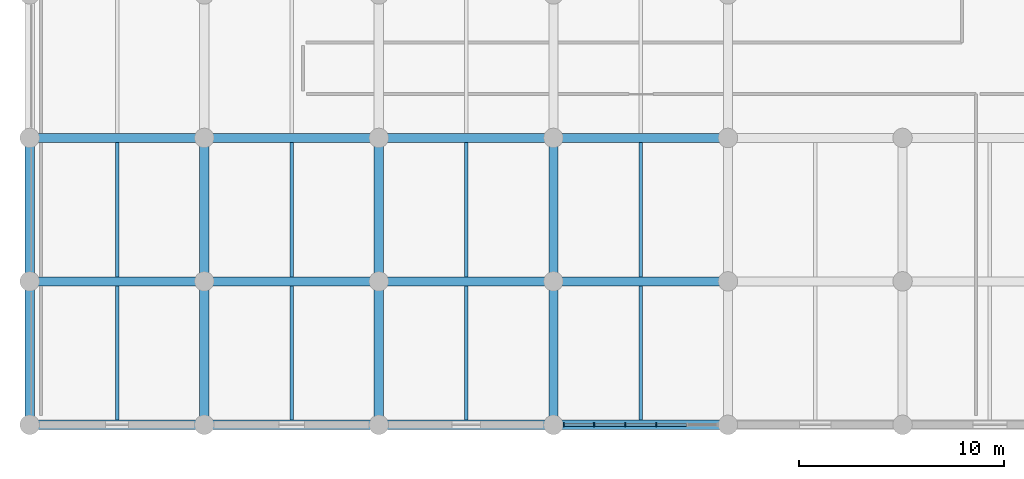
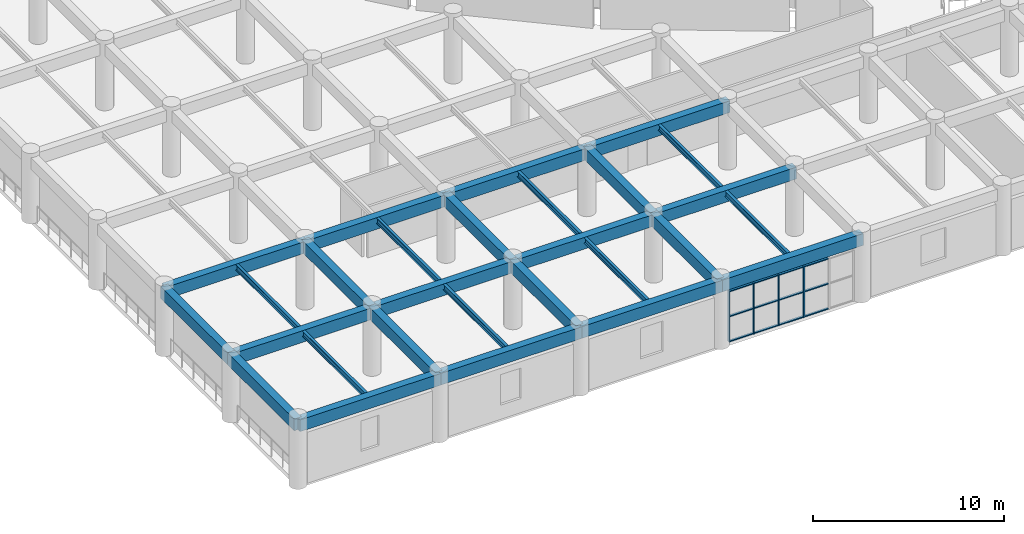
# One storey, part 11 of 145: 28 beams, 16 members, 1 element without a shape of its own.
"""IFC4 building model written with IfcOpenShell, lengths in metres."""

from ifc_helpers import new_model, si_unit, direction, frame, origin, origin_2d, place, context, subcontext, project, spatial, rectangle, i_section, extrude, material, layer, layer_set, material_profile, profile_set, type_object, element, aggregate, save


model = new_model("IFC4")

# Units and contexts
model_context = context("Model", 3, precision=1e-05, world=origin(), true_north=direction((0.0, 1.0)))
body_context = subcontext(model_context, "Body", "Model", "MODEL_VIEW")
ifc_project = project(units=[si_unit("LENGTHUNIT", "METRE"), si_unit("AREAUNIT", "SQUARE_METRE"), si_unit("VOLUMEUNIT", "CUBIC_METRE"), si_unit("PLANEANGLEUNIT", "RADIAN"), si_unit("MASSUNIT", "GRAM", prefix="KILO")], contexts=[model_context])

# Site, building, storey
site_placement = place(None, origin())
site = spatial("IfcSite", under=ifc_project, at=site_placement, CompositionType="ELEMENT")
building_placement = place(site_placement, origin())
building = spatial("IfcBuilding", under=site, at=building_placement, Name="Mphavela Belvedere Stadium", CompositionType="ELEMENT")
storey_placement = place(building_placement, frame((0.0, 0.0, 10.199951171875)))
storey = spatial("IfcBuildingStorey", under=building, at=storey_placement, Name="L02", CompositionType="ELEMENT", Elevation=10.199951171875)

# Beams
ifc_material_1 = material(Name="Steel S355", Category="steel")
ifc_material_profile_1 = material_profile(ifc_material_1, i_section(OverallWidth=0.169921875, OverallDepth=0.360107421875, WebThickness=0.008056640625, FlangeThickness=0.0126953125, at=origin_2d()), Name="IPE 360")
ifc_profile_set_1 = profile_set([ifc_material_profile_1], Name="Steel S355")
beam_type_1 = type_object("IfcBeamType", Name="BM-JOIST-IPE360", PredefinedType="JOIST", material=ifc_profile_set_1)
for number, where, z_axis, x_axis, name in (
    (1, (4.259521484375, 0.22509765625, 4.06005859375), (0.0, 1.0, 0.0), (-1.0, 0.0, 0.0), "South Axial Triumphal Peristyle Portico secondary joist L02 1-1"),
    (2, (4.259521484375, 7.22509765625, 4.06005859375), (0.0, 1.0, 0.0), (-1.0, 0.0, 0.0), "South Axial Triumphal Peristyle Portico secondary joist L02 1-2"),
    (3, (12.778076171875, 0.22509765625, 4.06005859375), (0.0, 1.0, 0.0), (-1.0, 0.0, 0.0), "South Axial Triumphal Peristyle Portico secondary joist L02 2-1"),
    (4, (12.778076171875, 7.22509765625, 4.06005859375), (0.0, 1.0, 0.0), (-1.0, 0.0, 0.0), "South Axial Triumphal Peristyle Portico secondary joist L02 2-2"),
    (5, (21.29638671875, 0.22509765625, 4.06005859375), (0.0, 1.0, 0.0), (-1.0, 0.0, 0.0), "South Axial Triumphal Peristyle Portico secondary joist L02 3-1"),
    (6, (21.29638671875, 7.22509765625, 4.06005859375), (0.0, 1.0, 0.0), (-1.0, 0.0, 0.0), "South Axial Triumphal Peristyle Portico secondary joist L02 3-2"),
    (7, (29.81494140625, 0.22509765625, 4.06005859375), (0.0, 1.0, 0.0), (-1.0, 0.0, 0.0), "South Axial Triumphal Peristyle Portico secondary joist L02 4-1"),
    (8, (29.81494140625, 7.22509765625, 4.06005859375), (0.0, 1.0, 0.0), (-1.0, 0.0, 0.0), "South Axial Triumphal Peristyle Portico secondary joist L02 4-2"),
):
    element("IfcBeam", number, at=place(storey_placement, frame(where, z_axis=z_axis, x_axis=x_axis)), inside=storey, type_object=beam_type_1, Name=name, PredefinedType="JOIST", context=body_context, shape_type="SweptSolid", body=[
        extrude(i_section(OverallWidth=0.169921875, OverallDepth=0.360107421875, WebThickness=0.008056640625, FlangeThickness=0.0126953125, at=origin_2d()), origin(), (0.0, 0.0, 1.0), 6.5498046875),
    ])
ifc_material_2 = material(Name="Concrete C40/50", Category="concrete")
ifc_material_profile_2 = material_profile(ifc_material_2, rectangle(XDim=0.449951171875, YDim=0.75, at=origin_2d()), Name="RC 450x750")
ifc_profile_set_2 = profile_set([ifc_material_profile_2], Name="Concrete C40/50")
beam_type_2 = type_object("IfcBeamType", Name="BM-RC450x750", PredefinedType="BEAM", material=ifc_profile_set_2)
beam_1_placement = place(storey_placement, frame((0.0, 0.0, 3.864990234375), z_axis=(1.0, 0.0, 0.0), x_axis=(0.0, 1.0, 0.0)))
element("IfcBeam", 9, at=beam_1_placement, inside=storey, type_object=beam_type_2, Name="South Axial Triumphal Peristyle Portico entablature beam X L02 1-1", PredefinedType="BEAM", context=body_context, shape_type="SweptSolid", body=[
    extrude(rectangle(XDim=0.449951171875, YDim=0.75, at=origin_2d()), origin(), (0.0, 0.0, 1.0), 8.51904296875),
])
beam_2_placement = place(storey_placement, frame((0.0, 0.0, 3.864990234375), z_axis=(0.0, 1.0, 0.0), x_axis=(-1.0, 0.0, 0.0)))
element("IfcBeam", 10, at=beam_2_placement, inside=storey, type_object=beam_type_2, Name="South Axial Triumphal Peristyle Portico entablature beam Y L02 1-1", PredefinedType="BEAM", context=body_context, shape_type="SweptSolid", body=[
    extrude(rectangle(XDim=0.449951171875, YDim=0.75, at=origin_2d()), origin(), (0.0, 0.0, 1.0), 7.0),
])
beam_3_placement = place(storey_placement, frame((0.0, 7.0, 3.864990234375), z_axis=(1.0, 0.0, 0.0), x_axis=(0.0, 1.0, 0.0)))
element("IfcBeam", 11, at=beam_3_placement, inside=storey, type_object=beam_type_2, Name="South Axial Triumphal Peristyle Portico entablature beam X L02 1-2", PredefinedType="BEAM", context=body_context, shape_type="SweptSolid", body=[
    extrude(rectangle(XDim=0.449951171875, YDim=0.75, at=origin_2d()), origin(), (0.0, 0.0, 1.0), 8.51904296875),
])
beam_4_placement = place(storey_placement, frame((0.0, 7.0, 3.864990234375), z_axis=(0.0, 1.0, 0.0), x_axis=(-1.0, 0.0, 0.0)))
element("IfcBeam", 12, at=beam_4_placement, inside=storey, type_object=beam_type_2, Name="South Axial Triumphal Peristyle Portico entablature beam Y L02 1-2", PredefinedType="BEAM", context=body_context, shape_type="SweptSolid", body=[
    extrude(rectangle(XDim=0.449951171875, YDim=0.75, at=origin_2d()), origin(), (0.0, 0.0, 1.0), 7.0),
])
beam_5_placement = place(storey_placement, frame((0.0, 14.0, 3.864990234375), z_axis=(1.0, 0.0, 0.0), x_axis=(0.0, 1.0, 0.0)))
element("IfcBeam", 13, at=beam_5_placement, inside=storey, type_object=beam_type_2, Name="South Axial Triumphal Peristyle Portico entablature beam X L02 1-3", PredefinedType="BEAM", context=body_context, shape_type="SweptSolid", body=[
    extrude(rectangle(XDim=0.449951171875, YDim=0.75, at=origin_2d()), origin(), (0.0, 0.0, 1.0), 8.51904296875),
])
beam_6_placement = place(storey_placement, frame((8.51904296875, 0.0, 3.864990234375), z_axis=(1.0, 0.0, 0.0), x_axis=(0.0, 1.0, 0.0)))
element("IfcBeam", 14, at=beam_6_placement, inside=storey, type_object=beam_type_2, Name="South Axial Triumphal Peristyle Portico entablature beam X L02 2-1", PredefinedType="BEAM", context=body_context, shape_type="SweptSolid", body=[
    extrude(rectangle(XDim=0.449951171875, YDim=0.75, at=origin_2d()), origin(), (0.0, 0.0, 1.0), 8.51806640625),
])
beam_7_placement = place(storey_placement, frame((8.51904296875, 0.0, 3.864990234375), z_axis=(0.0, 1.0, 0.0), x_axis=(-1.0, 0.0, 0.0)))
element("IfcBeam", 15, at=beam_7_placement, inside=storey, type_object=beam_type_2, Name="South Axial Triumphal Peristyle Portico entablature beam Y L02 2-1", PredefinedType="BEAM", context=body_context, shape_type="SweptSolid", body=[
    extrude(rectangle(XDim=0.449951171875, YDim=0.75, at=origin_2d()), origin(), (0.0, 0.0, 1.0), 7.0),
])
beam_8_placement = place(storey_placement, frame((8.51904296875, 7.0, 3.864990234375), z_axis=(1.0, 0.0, 0.0), x_axis=(0.0, 1.0, 0.0)))
element("IfcBeam", 16, at=beam_8_placement, inside=storey, type_object=beam_type_2, Name="South Axial Triumphal Peristyle Portico entablature beam X L02 2-2", PredefinedType="BEAM", context=body_context, shape_type="SweptSolid", body=[
    extrude(rectangle(XDim=0.449951171875, YDim=0.75, at=origin_2d()), origin(), (0.0, 0.0, 1.0), 8.51806640625),
])
beam_9_placement = place(storey_placement, frame((8.51904296875, 7.0, 3.864990234375), z_axis=(0.0, 1.0, 0.0), x_axis=(-1.0, 0.0, 0.0)))
element("IfcBeam", 17, at=beam_9_placement, inside=storey, type_object=beam_type_2, Name="South Axial Triumphal Peristyle Portico entablature beam Y L02 2-2", PredefinedType="BEAM", context=body_context, shape_type="SweptSolid", body=[
    extrude(rectangle(XDim=0.449951171875, YDim=0.75, at=origin_2d()), origin(), (0.0, 0.0, 1.0), 7.0),
])
beam_10_placement = place(storey_placement, frame((8.51904296875, 14.0, 3.864990234375), z_axis=(1.0, 0.0, 0.0), x_axis=(0.0, 1.0, 0.0)))
element("IfcBeam", 18, at=beam_10_placement, inside=storey, type_object=beam_type_2, Name="South Axial Triumphal Peristyle Portico entablature beam X L02 2-3", PredefinedType="BEAM", context=body_context, shape_type="SweptSolid", body=[
    extrude(rectangle(XDim=0.449951171875, YDim=0.75, at=origin_2d()), origin(), (0.0, 0.0, 1.0), 8.51806640625),
])
beam_11_placement = place(storey_placement, frame((17.037109375, 0.0, 3.864990234375), z_axis=(1.0, 0.0, 0.0), x_axis=(0.0, 1.0, 0.0)))
element("IfcBeam", 19, at=beam_11_placement, inside=storey, type_object=beam_type_2, Name="South Axial Triumphal Peristyle Portico entablature beam X L02 3-1", PredefinedType="BEAM", context=body_context, shape_type="SweptSolid", body=[
    extrude(rectangle(XDim=0.449951171875, YDim=0.75, at=origin_2d()), origin(), (0.0, 0.0, 1.0), 8.518798828125),
])
beam_12_placement = place(storey_placement, frame((17.037109375, 0.0, 3.864990234375), z_axis=(0.0, 1.0, 0.0), x_axis=(-1.0, 0.0, 0.0)))
element("IfcBeam", 20, at=beam_12_placement, inside=storey, type_object=beam_type_2, Name="South Axial Triumphal Peristyle Portico entablature beam Y L02 3-1", PredefinedType="BEAM", context=body_context, shape_type="SweptSolid", body=[
    extrude(rectangle(XDim=0.449951171875, YDim=0.75, at=origin_2d()), origin(), (0.0, 0.0, 1.0), 7.0),
])
beam_13_placement = place(storey_placement, frame((17.037109375, 7.0, 3.864990234375), z_axis=(1.0, 0.0, 0.0), x_axis=(0.0, 1.0, 0.0)))
element("IfcBeam", 21, at=beam_13_placement, inside=storey, type_object=beam_type_2, Name="South Axial Triumphal Peristyle Portico entablature beam X L02 3-2", PredefinedType="BEAM", context=body_context, shape_type="SweptSolid", body=[
    extrude(rectangle(XDim=0.449951171875, YDim=0.75, at=origin_2d()), origin(), (0.0, 0.0, 1.0), 8.518798828125),
])
beam_14_placement = place(storey_placement, frame((17.037109375, 7.0, 3.864990234375), z_axis=(0.0, 1.0, 0.0), x_axis=(-1.0, 0.0, 0.0)))
element("IfcBeam", 22, at=beam_14_placement, inside=storey, type_object=beam_type_2, Name="South Axial Triumphal Peristyle Portico entablature beam Y L02 3-2", PredefinedType="BEAM", context=body_context, shape_type="SweptSolid", body=[
    extrude(rectangle(XDim=0.449951171875, YDim=0.75, at=origin_2d()), origin(), (0.0, 0.0, 1.0), 7.0),
])
beam_15_placement = place(storey_placement, frame((17.037109375, 14.0, 3.864990234375), z_axis=(1.0, 0.0, 0.0), x_axis=(0.0, 1.0, 0.0)))
element("IfcBeam", 23, at=beam_15_placement, inside=storey, type_object=beam_type_2, Name="South Axial Triumphal Peristyle Portico entablature beam X L02 3-3", PredefinedType="BEAM", context=body_context, shape_type="SweptSolid", body=[
    extrude(rectangle(XDim=0.449951171875, YDim=0.75, at=origin_2d()), origin(), (0.0, 0.0, 1.0), 8.518798828125),
])
beam_16_placement = place(storey_placement, frame((25.555908203125, 0.0, 3.864990234375), z_axis=(1.0, 0.0, 0.0), x_axis=(0.0, 1.0, 0.0)))
element("IfcBeam", 24, at=beam_16_placement, inside=storey, type_object=beam_type_2, Name="South Axial Triumphal Peristyle Portico entablature beam X L02 4-1", PredefinedType="BEAM", context=body_context, shape_type="SweptSolid", body=[
    extrude(rectangle(XDim=0.449951171875, YDim=0.75, at=origin_2d()), origin(), (0.0, 0.0, 1.0), 8.51806640625),
])
beam_17_placement = place(storey_placement, frame((25.555908203125, 0.0, 3.864990234375), z_axis=(0.0, 1.0, 0.0), x_axis=(-1.0, 0.0, 0.0)))
element("IfcBeam", 25, at=beam_17_placement, inside=storey, type_object=beam_type_2, Name="South Axial Triumphal Peristyle Portico entablature beam Y L02 4-1", PredefinedType="BEAM", context=body_context, shape_type="SweptSolid", body=[
    extrude(rectangle(XDim=0.449951171875, YDim=0.75, at=origin_2d()), origin(), (0.0, 0.0, 1.0), 7.0),
])
beam_18_placement = place(storey_placement, frame((25.555908203125, 7.0, 3.864990234375), z_axis=(1.0, 0.0, 0.0), x_axis=(0.0, 1.0, 0.0)))
element("IfcBeam", 26, at=beam_18_placement, inside=storey, type_object=beam_type_2, Name="South Axial Triumphal Peristyle Portico entablature beam X L02 4-2", PredefinedType="BEAM", context=body_context, shape_type="SweptSolid", body=[
    extrude(rectangle(XDim=0.449951171875, YDim=0.75, at=origin_2d()), origin(), (0.0, 0.0, 1.0), 8.51806640625),
])
beam_19_placement = place(storey_placement, frame((25.555908203125, 7.0, 3.864990234375), z_axis=(0.0, 1.0, 0.0), x_axis=(-1.0, 0.0, 0.0)))
element("IfcBeam", 27, at=beam_19_placement, inside=storey, type_object=beam_type_2, Name="South Axial Triumphal Peristyle Portico entablature beam Y L02 4-2", PredefinedType="BEAM", context=body_context, shape_type="SweptSolid", body=[
    extrude(rectangle(XDim=0.449951171875, YDim=0.75, at=origin_2d()), origin(), (0.0, 0.0, 1.0), 7.0),
])
beam_20_placement = place(storey_placement, frame((25.555908203125, 14.0, 3.864990234375), z_axis=(1.0, 0.0, 0.0), x_axis=(0.0, 1.0, 0.0)))
element("IfcBeam", 28, at=beam_20_placement, inside=storey, type_object=beam_type_2, Name="South Axial Triumphal Peristyle Portico entablature beam X L02 4-3", PredefinedType="BEAM", context=body_context, shape_type="SweptSolid", body=[
    extrude(rectangle(XDim=0.449951171875, YDim=0.75, at=origin_2d()), origin(), (0.0, 0.0, 1.0), 8.51806640625),
])

# Curtain wall, members
ifc_material_3 = material(Name="Anodised bronze unitised curtain wall framing")
ifc_layer = layer(ifc_material_3, 0.179931640625)
ifc_layer_set = layer_set([ifc_layer], Name="Anodised bronze unitised curtain wall framing")
curtain_wall_type = type_object("IfcCurtainWallType", Name="CW-UNIT-01", PredefinedType="USERDEFINED", material=ifc_layer_set)
curtain_wall_placement = place(storey_placement, origin())
curtain_wall = element("IfcCurtainWall", 29, at=curtain_wall_placement, inside=storey, type_object=curtain_wall_type, Name="South Axial Triumphal Peristyle Portico gallery curtain wall L02-04", ObjectType="UNITISED CURTAIN WALL", PredefinedType="USERDEFINED")
ifc_material_4 = material(Name="Anodised bronze extruded aluminium", Category="aluminium")
ifc_material_profile_3 = material_profile(ifc_material_4, rectangle(XDim=0.179931640625, YDim=0.06494140625, at=origin_2d()), Name="CW-MUL 180x65")
ifc_profile_set_3 = profile_set([ifc_material_profile_3], Name="Anodised bronze extruded aluminium")
member_type_1 = type_object("IfcMemberType", Name="CWM-180x65", PredefinedType="MULLION", material=ifc_profile_set_3)
member_1_placement = place(storey_placement, frame((30.572265625, 0.0, 0.0), z_axis=(0.0, 0.0, 1.0), x_axis=(0.0, -1.0, 0.0)))
member_1 = element("IfcMember", 30, at=member_1_placement, type_object=member_type_1, Name="CW-01 mullion 3", PredefinedType="MULLION", context=body_context, shape_type="SweptSolid", body=[
    extrude(rectangle(XDim=0.179931640625, YDim=0.06494140625, at=origin_2d()), origin(), (0.0, 0.0, 1.0), 3.260009765625),
])
member_2_placement = place(storey_placement, frame((29.057861328125, 0.0, 0.0), z_axis=(0.0, 0.0, 1.0), x_axis=(0.0, -1.0, 0.0)))
member_2 = element("IfcMember", 31, at=member_2_placement, type_object=member_type_1, Name="CW-01 mullion 4", PredefinedType="MULLION", context=body_context, shape_type="SweptSolid", body=[
    extrude(rectangle(XDim=0.179931640625, YDim=0.06494140625, at=origin_2d()), origin(), (0.0, 0.0, 1.0), 3.260009765625),
])
member_3_placement = place(storey_placement, frame((27.54345703125, 0.0, 0.0), z_axis=(0.0, 0.0, 1.0), x_axis=(0.0, -1.0, 0.0)))
member_3 = element("IfcMember", 32, at=member_3_placement, type_object=member_type_1, Name="CW-01 mullion 5", PredefinedType="MULLION", context=body_context, shape_type="SweptSolid", body=[
    extrude(rectangle(XDim=0.179931640625, YDim=0.06494140625, at=origin_2d()), origin(), (0.0, 0.0, 1.0), 3.260009765625),
])
member_4_placement = place(storey_placement, frame((26.0615234375, 0.0, 0.0), z_axis=(0.0, 0.0, 1.0), x_axis=(0.0, -1.0, 0.0)))
member_4 = element("IfcMember", 33, at=member_4_placement, type_object=member_type_1, Name="CW-01 mullion 6", PredefinedType="MULLION", context=body_context, shape_type="SweptSolid", body=[
    extrude(rectangle(XDim=0.179931640625, YDim=0.06494140625, at=origin_2d()), origin(), (0.0, 0.0, 1.0), 3.260009765625),
])
ifc_material_5 = material(Name="Anodised bronze extruded aluminium", Category="aluminium")
ifc_material_profile_4 = material_profile(ifc_material_5, rectangle(XDim=0.139892578125, YDim=0.06005859375, at=origin_2d()), Name="CW-TRN 140x60")
ifc_profile_set_4 = profile_set([ifc_material_profile_4], Name="Anodised bronze extruded aluminium")
member_type_2 = type_object("IfcMemberType", Name="CWT-140x60", PredefinedType="USERDEFINED", material=ifc_profile_set_4)
member_5_placement = place(storey_placement, frame((32.05419921875, 0.0, 0.030029296875), z_axis=(-1.0, 0.0, 0.0), x_axis=(0.0, -1.0, 0.0)))
member_5 = element("IfcMember", 34, at=member_5_placement, type_object=member_type_2, Name="CW-01 transom 2.1", ObjectType="TRANSOM", PredefinedType="USERDEFINED", context=body_context, shape_type="SweptSolid", body=[
    extrude(rectangle(XDim=0.139892578125, YDim=0.06005859375, at=origin_2d()), origin(), (0.0, 0.0, 1.0), 1.449462890625),
])
member_6_placement = place(storey_placement, frame((32.05419921875, 0.0, 1.630126953125), z_axis=(-1.0, 0.0, 0.0), x_axis=(0.0, -1.0, 0.0)))
member_6 = element("IfcMember", 35, at=member_6_placement, type_object=member_type_2, Name="CW-01 transom 2.2", ObjectType="TRANSOM", PredefinedType="USERDEFINED", context=body_context, shape_type="SweptSolid", body=[
    extrude(rectangle(XDim=0.139892578125, YDim=0.06005859375, at=origin_2d()), origin(), (0.0, 0.0, 1.0), 1.449462890625),
])
member_7_placement = place(storey_placement, frame((32.05419921875, 0.0, 3.22998046875), z_axis=(-1.0, 0.0, 0.0), x_axis=(0.0, -1.0, 0.0)))
member_7 = element("IfcMember", 36, at=member_7_placement, type_object=member_type_2, Name="CW-01 transom 2.3", ObjectType="TRANSOM", PredefinedType="USERDEFINED", context=body_context, shape_type="SweptSolid", body=[
    extrude(rectangle(XDim=0.139892578125, YDim=0.06005859375, at=origin_2d()), origin(), (0.0, 0.0, 1.0), 1.449462890625),
])
member_8_placement = place(storey_placement, frame((30.539794921875, 0.0, 0.030029296875), z_axis=(-1.0, 0.0, 0.0), x_axis=(0.0, -1.0, 0.0)))
member_8 = element("IfcMember", 37, at=member_8_placement, type_object=member_type_2, Name="CW-01 transom 3.1", ObjectType="TRANSOM", PredefinedType="USERDEFINED", context=body_context, shape_type="SweptSolid", body=[
    extrude(rectangle(XDim=0.139892578125, YDim=0.06005859375, at=origin_2d()), origin(), (0.0, 0.0, 1.0), 1.449462890625),
])
member_9_placement = place(storey_placement, frame((30.539794921875, 0.0, 1.630126953125), z_axis=(-1.0, 0.0, 0.0), x_axis=(0.0, -1.0, 0.0)))
member_9 = element("IfcMember", 38, at=member_9_placement, type_object=member_type_2, Name="CW-01 transom 3.2", ObjectType="TRANSOM", PredefinedType="USERDEFINED", context=body_context, shape_type="SweptSolid", body=[
    extrude(rectangle(XDim=0.139892578125, YDim=0.06005859375, at=origin_2d()), origin(), (0.0, 0.0, 1.0), 1.449462890625),
])
member_10_placement = place(storey_placement, frame((30.539794921875, 0.0, 3.22998046875), z_axis=(-1.0, 0.0, 0.0), x_axis=(0.0, -1.0, 0.0)))
member_10 = element("IfcMember", 39, at=member_10_placement, type_object=member_type_2, Name="CW-01 transom 3.3", ObjectType="TRANSOM", PredefinedType="USERDEFINED", context=body_context, shape_type="SweptSolid", body=[
    extrude(rectangle(XDim=0.139892578125, YDim=0.06005859375, at=origin_2d()), origin(), (0.0, 0.0, 1.0), 1.449462890625),
])
member_11_placement = place(storey_placement, frame((29.025390625, 0.0, 0.030029296875), z_axis=(-1.0, 0.0, 0.0), x_axis=(0.0, -1.0, 0.0)))
member_11 = element("IfcMember", 40, at=member_11_placement, type_object=member_type_2, Name="CW-01 transom 4.1", ObjectType="TRANSOM", PredefinedType="USERDEFINED", context=body_context, shape_type="SweptSolid", body=[
    extrude(rectangle(XDim=0.139892578125, YDim=0.06005859375, at=origin_2d()), origin(), (0.0, 0.0, 1.0), 1.449462890625),
])
member_12_placement = place(storey_placement, frame((29.025390625, 0.0, 1.630126953125), z_axis=(-1.0, 0.0, 0.0), x_axis=(0.0, -1.0, 0.0)))
member_12 = element("IfcMember", 41, at=member_12_placement, type_object=member_type_2, Name="CW-01 transom 4.2", ObjectType="TRANSOM", PredefinedType="USERDEFINED", context=body_context, shape_type="SweptSolid", body=[
    extrude(rectangle(XDim=0.139892578125, YDim=0.06005859375, at=origin_2d()), origin(), (0.0, 0.0, 1.0), 1.449462890625),
])
member_13_placement = place(storey_placement, frame((29.025390625, 0.0, 3.22998046875), z_axis=(-1.0, 0.0, 0.0), x_axis=(0.0, -1.0, 0.0)))
member_13 = element("IfcMember", 42, at=member_13_placement, type_object=member_type_2, Name="CW-01 transom 4.3", ObjectType="TRANSOM", PredefinedType="USERDEFINED", context=body_context, shape_type="SweptSolid", body=[
    extrude(rectangle(XDim=0.139892578125, YDim=0.06005859375, at=origin_2d()), origin(), (0.0, 0.0, 1.0), 1.449462890625),
])
member_14_placement = place(storey_placement, frame((27.510986328125, 0.0, 0.030029296875), z_axis=(-1.0, 0.0, 0.0), x_axis=(0.0, -1.0, 0.0)))
member_14 = element("IfcMember", 43, at=member_14_placement, type_object=member_type_2, Name="CW-01 transom 5.1", ObjectType="TRANSOM", PredefinedType="USERDEFINED", context=body_context, shape_type="SweptSolid", body=[
    extrude(rectangle(XDim=0.139892578125, YDim=0.06005859375, at=origin_2d()), origin(), (0.0, 0.0, 1.0), 1.4169921875),
])
member_15_placement = place(storey_placement, frame((27.510986328125, 0.0, 1.630126953125), z_axis=(-1.0, 0.0, 0.0), x_axis=(0.0, -1.0, 0.0)))
member_15 = element("IfcMember", 44, at=member_15_placement, type_object=member_type_2, Name="CW-01 transom 5.2", ObjectType="TRANSOM", PredefinedType="USERDEFINED", context=body_context, shape_type="SweptSolid", body=[
    extrude(rectangle(XDim=0.139892578125, YDim=0.06005859375, at=origin_2d()), origin(), (0.0, 0.0, 1.0), 1.4169921875),
])
member_16_placement = place(storey_placement, frame((27.510986328125, 0.0, 3.22998046875), z_axis=(-1.0, 0.0, 0.0), x_axis=(0.0, -1.0, 0.0)))
member_16 = element("IfcMember", 45, at=member_16_placement, type_object=member_type_2, Name="CW-01 transom 5.3", ObjectType="TRANSOM", PredefinedType="USERDEFINED", context=body_context, shape_type="SweptSolid", body=[
    extrude(rectangle(XDim=0.139892578125, YDim=0.06005859375, at=origin_2d()), origin(), (0.0, 0.0, 1.0), 1.4169921875),
])
aggregate(curtain_wall, [member_1, member_2, member_3, member_4, member_5, member_6, member_7, member_8, member_9, member_10, member_11, member_12, member_13, member_14, member_15, member_16])

save(model, "model.ifc")
